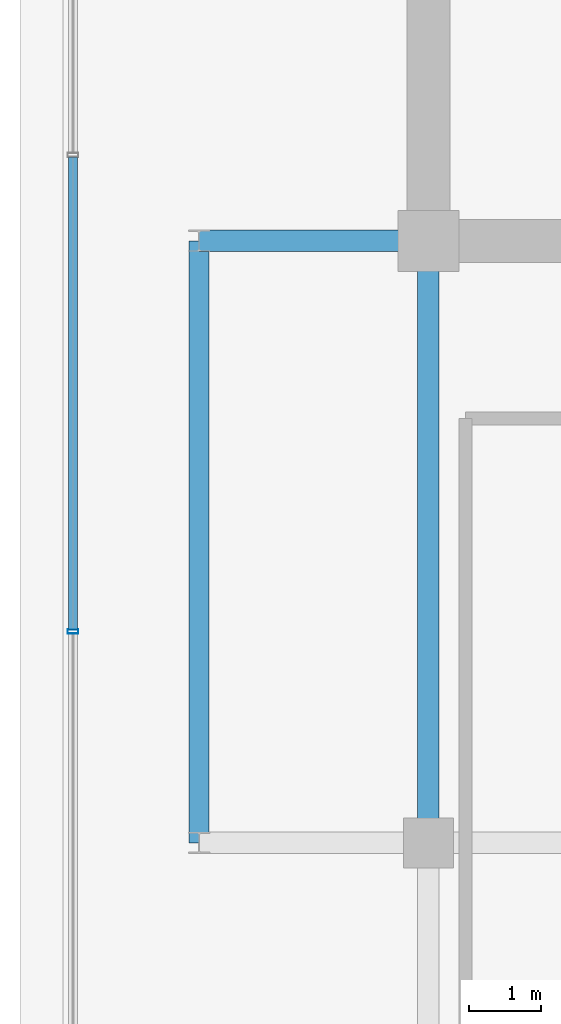
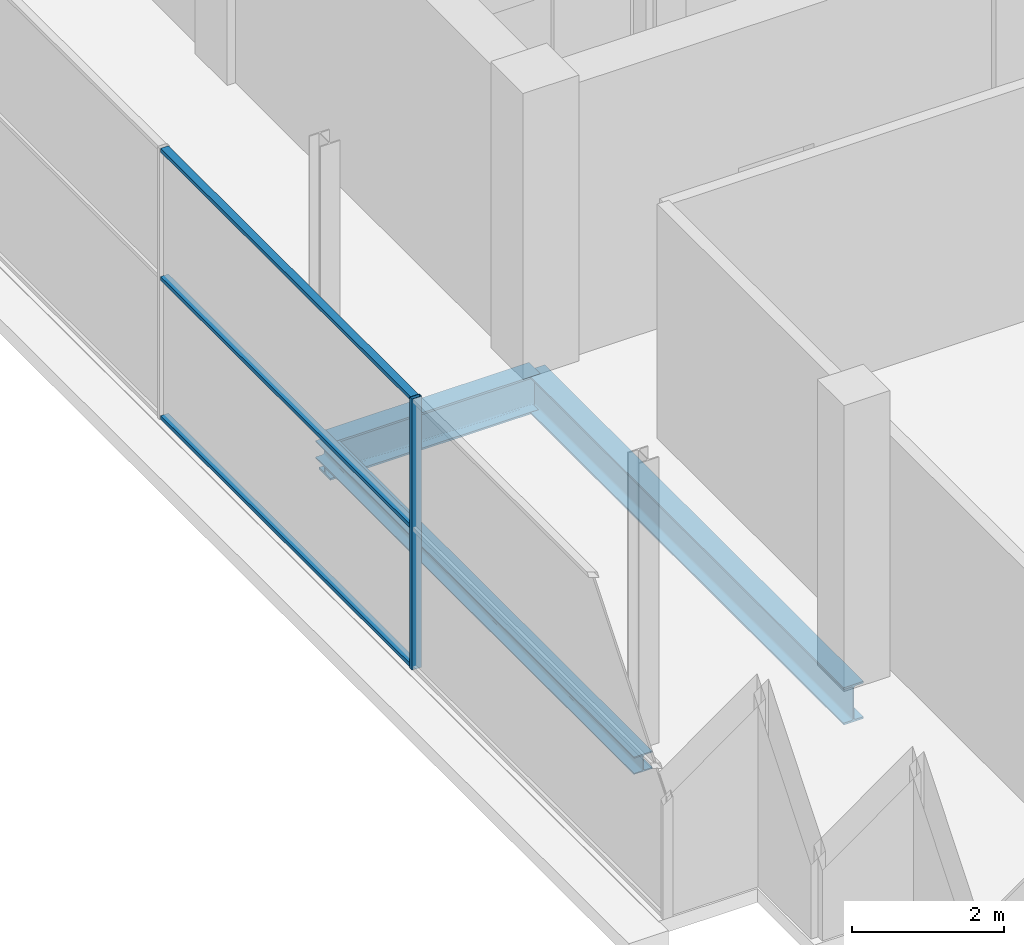
# One storey, part 5 of 26: 4 members, 3 beams, 1 element without a shape of its own.
"""IFC4 building model written with IfcOpenShell, lengths in metres."""

from ifc_helpers import new_model, si_unit, direction, frame, origin, origin_2d, place, context, subcontext, project, spatial, hollow_rectangle, i_section, extrude, source, transform, mapped, material, layer, layer_set, material_profile, profile_set, type_object, element, aggregate, save


model = new_model("IFC4")

# Units and contexts
model_context = context("Model", 3, precision=1e-05, world=origin(), true_north=direction((0.0, 1.0)))
body_context = subcontext(model_context, "Body", "Model", "MODEL_VIEW")
ifc_project = project(units=[si_unit("LENGTHUNIT", "METRE"), si_unit("AREAUNIT", "SQUARE_METRE"), si_unit("VOLUMEUNIT", "CUBIC_METRE"), si_unit("PLANEANGLEUNIT", "RADIAN"), si_unit("MASSUNIT", "GRAM", prefix="KILO")], contexts=[model_context])

# Site, building, storey
site_placement = place(None, origin())
site = spatial("IfcSite", under=ifc_project, at=site_placement, CompositionType="ELEMENT")
building_placement = place(site_placement, origin())
building = spatial("IfcBuilding", under=site, at=building_placement, Name="Zarnakvel Exchange Tower", CompositionType="ELEMENT")
storey_placement = place(building_placement, frame((0.0, 0.0, 280.800048828125)))
storey = spatial("IfcBuildingStorey", under=building, at=storey_placement, Name="Crown L79", CompositionType="ELEMENT", Elevation=280.800048828125)

# Beams
ifc_material_1 = material(Name="Steel S355", Category="steel")
ifc_material_profile_1 = material_profile(ifc_material_1, i_section(OverallWidth=0.300048828125, OverallDepth=0.60009765625, WebThickness=0.015380859375, FlangeThickness=0.030029296875, FilletRadius=0.027099609375, at=origin_2d()))
ifc_profile_set_1 = profile_set([ifc_material_profile_1], Name="Steel S355")
beam_type_1 = type_object("IfcBeamType", Name="G-04", PredefinedType="BEAM", material=ifc_profile_set_1)
beam_1_placement = place(storey_placement, frame((-17.60009765625, -1.199951171875, -0.52001953125), z_axis=(1.0, 0.0, 0.0), x_axis=(0.0, 1.0, 0.0)))
element("IfcBeam", 1, at=beam_1_placement, inside=storey, type_object=beam_type_1, Name="Crown L79 Tower E-W Frame Beam", PredefinedType="BEAM", context=body_context, shape_type="SweptSolid", body=[
    extrude(i_section(OverallWidth=0.300048828125, OverallDepth=0.60009765625, WebThickness=0.015380859375, FlangeThickness=0.030029296875, FilletRadius=0.027099609375, at=origin_2d()), origin(), (0.0, 0.0, 1.0), 3.2001953125),
])
beam_2_placement = place(storey_placement, frame((-14.39990234375, -9.60009765625, -0.52001953125), z_axis=(0.0, 1.0, 0.0), x_axis=(-1.0, 0.0, 0.0)))
element("IfcBeam", 2, at=beam_2_placement, inside=storey, type_object=beam_type_1, Name="Crown L79 Tower N-S Frame Beam", PredefinedType="BEAM", context=body_context, shape_type="SweptSolid", body=[
    extrude(i_section(OverallWidth=0.300048828125, OverallDepth=0.60009765625, WebThickness=0.015380859375, FlangeThickness=0.030029296875, FilletRadius=0.027099609375, at=origin_2d()), origin(), (0.0, 0.0, 1.0), 8.400146484375),
])
ifc_material_profile_2 = material_profile(ifc_material_1, i_section(OverallWidth=0.280029296875, OverallDepth=0.280029296875, WebThickness=0.010498046875, FlangeThickness=0.01806640625, FilletRadius=0.02392578125, at=origin_2d()))
ifc_profile_set_2 = profile_set([ifc_material_profile_2], Name="Steel S355")
beam_type_2 = type_object("IfcBeamType", Name="SP-04", PredefinedType="SPANDREL", material=ifc_profile_set_2)
beam_3_placement = place(storey_placement, frame((-17.60009765625, -9.60009765625, -0.360107421875), z_axis=(0.0, 1.0, 0.0), x_axis=(-1.0, 0.0, 0.0)))
element("IfcBeam", 3, at=beam_3_placement, inside=storey, type_object=beam_type_2, Name="Crown L79 Tower N-S Frame Beam", PredefinedType="SPANDREL", context=body_context, shape_type="SweptSolid", body=[
    extrude(i_section(OverallWidth=0.280029296875, OverallDepth=0.280029296875, WebThickness=0.010498046875, FlangeThickness=0.01806640625, FilletRadius=0.02392578125, at=origin_2d()), origin(), (0.0, 0.0, 1.0), 8.400146484375),
])

# Curtain wall, members
ifc_material_2 = material(Name="Architectural Bronze Anodised Aluminium", Category="aluminium")
ifc_layer = layer(ifc_material_2, 0.14990234375)
ifc_layer_set = layer_set([ifc_layer], Name="Architectural Bronze Anodised Aluminium")
curtain_wall_type = type_object("IfcCurtainWallType", Name="CW-07", PredefinedType="NOTDEFINED", material=ifc_layer_set)
curtain_wall_placement = place(storey_placement, origin())
curtain_wall = element("IfcCurtainWall", 4, at=curtain_wall_placement, inside=storey, type_object=curtain_wall_type, Name="Crown L79 Curtain Wall CW-Crown L79-W (CW-07)", PredefinedType="NOTDEFINED")
ifc_material_profile_3 = material_profile(ifc_material_2, hollow_rectangle(XDim=0.14990234375, YDim=0.06005859375, WallThickness=0.00390625, at=origin_2d()))
ifc_profile_set_3 = profile_set([ifc_material_profile_3], Name="Architectural Bronze Anodised Aluminium")
member_type_1 = type_object("IfcMemberType", Name="CWM-07", PredefinedType="MULLION", material=ifc_profile_set_3)
shared_shape_1 = source(origin(), body_context, "Body", "SweptSolid", [
    extrude(hollow_rectangle(XDim=0.14990234375, YDim=0.06005859375, WallThickness=0.00390625, at=origin_2d()), origin(), (0.0, 0.0, 1.0), 4.35986328125),
])
member_1_placement = place(storey_placement, frame((-19.360107421875, -6.64990234375, 0.0), z_axis=(0.0, 0.0, 1.0), x_axis=(-1.0, 0.0, 0.0)))
member_1 = element("IfcMember", 5, at=member_1_placement, type_object=member_type_1, Name="CW-07 mullion 2", PredefinedType="MULLION", context=body_context, shape_type="MappedRepresentation", body=[
    mapped(shared_shape_1, transform((0.0, 0.0, 0.0), x_axis=(1.0, 0.0, 0.0), y_axis=(0.0, 1.0, 0.0), z_axis=(0.0, 0.0, 1.0), scale=1.0)),
])
ifc_material_profile_4 = material_profile(ifc_material_2, hollow_rectangle(XDim=0.1201171875, YDim=0.06005859375, WallThickness=0.00390625, at=origin_2d()))
ifc_profile_set_4 = profile_set([ifc_material_profile_4], Name="Architectural Bronze Anodised Aluminium")
member_type_2 = type_object("IfcMemberType", Name="CWT-07", PredefinedType="USERDEFINED", material=ifc_profile_set_4)
shared_shape_2 = source(origin(), body_context, "Body", "SweptSolid", [
    extrude(hollow_rectangle(XDim=0.1201171875, YDim=0.06005859375, WallThickness=0.00390625, at=origin_2d()), origin(), (0.0, 0.0, 1.0), 6.590087890625),
])
member_2_placement = place(storey_placement, frame((-19.360107421875, -6.6201171875, 0.030029296875), z_axis=(0.0, 1.0, 0.0), x_axis=(-1.0, 0.0, 0.0)))
member_2 = element("IfcMember", 6, at=member_2_placement, type_object=member_type_2, Name="CW-07 transom 2.1", ObjectType="TRANSOM", PredefinedType="USERDEFINED", context=body_context, shape_type="MappedRepresentation", body=[
    mapped(shared_shape_2, transform((0.0, 0.0, 0.0), x_axis=(1.0, 0.0, 0.0), y_axis=(0.0, 1.0, 0.0), z_axis=(0.0, 0.0, 1.0), scale=1.0)),
])
member_3_placement = place(storey_placement, frame((-19.360107421875, -6.6201171875, 2.26708984375), z_axis=(0.0, 1.0, 0.0), x_axis=(-1.0, 0.0, 0.0)))
member_3 = element("IfcMember", 7, at=member_3_placement, type_object=member_type_2, Name="CW-07 transom 2.2", ObjectType="TRANSOM", PredefinedType="USERDEFINED", context=body_context, shape_type="MappedRepresentation", body=[
    mapped(shared_shape_2, transform((0.0, 0.0, 0.0), x_axis=(1.0, 0.0, 0.0), y_axis=(0.0, 1.0, 0.0), z_axis=(0.0, 0.0, 1.0), scale=1.0)),
])
member_4_placement = place(storey_placement, frame((-19.360107421875, -6.6201171875, 4.329833984375), z_axis=(0.0, 1.0, 0.0), x_axis=(-1.0, 0.0, 0.0)))
member_4 = element("IfcMember", 8, at=member_4_placement, type_object=member_type_2, Name="CW-07 transom 2.3", ObjectType="TRANSOM", PredefinedType="USERDEFINED", context=body_context, shape_type="MappedRepresentation", body=[
    mapped(shared_shape_2, transform((0.0, 0.0, 0.0), x_axis=(1.0, 0.0, 0.0), y_axis=(0.0, 1.0, 0.0), z_axis=(0.0, 0.0, 1.0), scale=1.0)),
])
aggregate(curtain_wall, [member_1, member_2, member_3, member_4])

save(model, "model.ifc")
